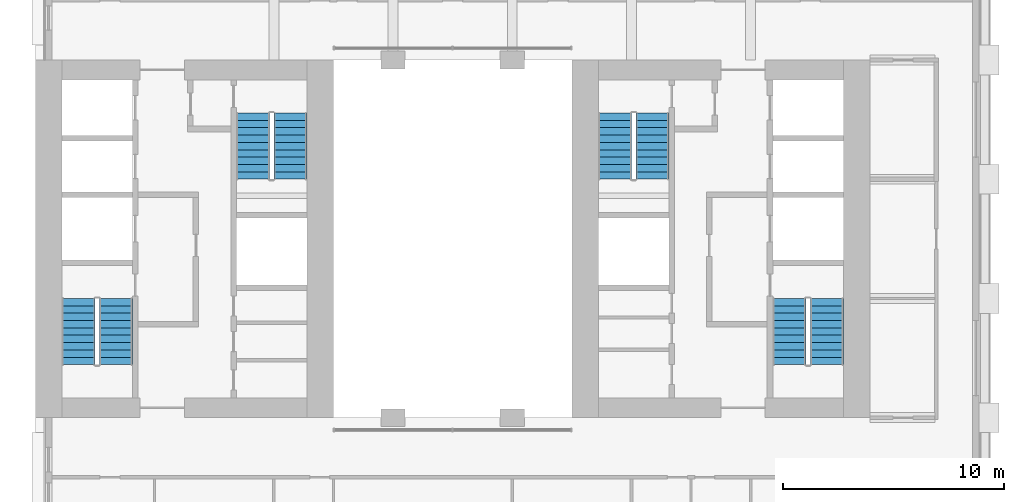
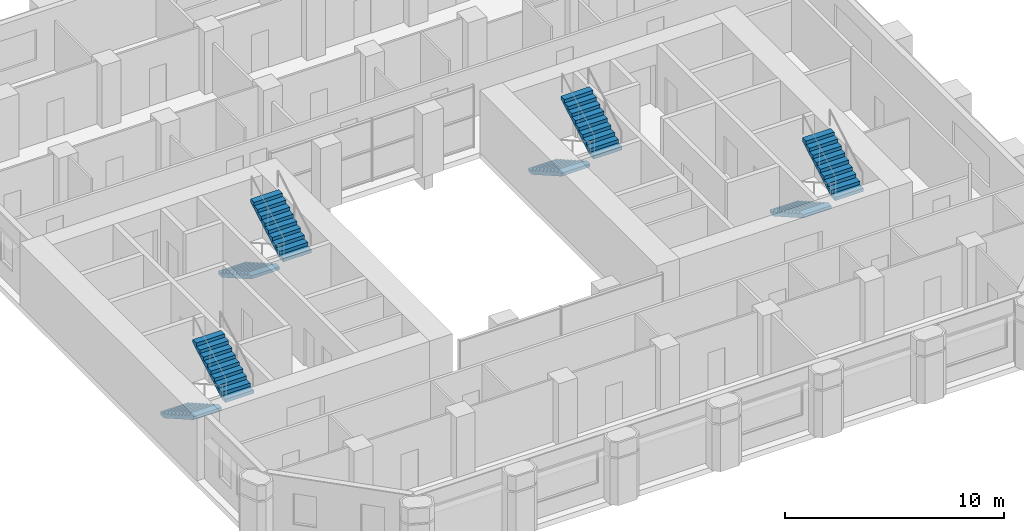
# One storey, part 8 of 11: 8 stair flights, 4 elements without a shape of their own.
"""IFC4 building model written with IfcOpenShell, lengths in metres."""

from ifc_helpers import new_model, si_unit, direction, frame, origin, place, context, subcontext, project, spatial, polyline, outline, extrude, material, type_object, element, aggregate, save


model = new_model("IFC4")

# Units and contexts
model_context = context("Model", 3, precision=1e-05, world=origin(), true_north=direction((0.0, 1.0)))
body_context = subcontext(model_context, "Body", "Model", "MODEL_VIEW")
ifc_project = project(units=[si_unit("LENGTHUNIT", "METRE"), si_unit("AREAUNIT", "SQUARE_METRE"), si_unit("VOLUMEUNIT", "CUBIC_METRE"), si_unit("PLANEANGLEUNIT", "RADIAN"), si_unit("MASSUNIT", "GRAM", prefix="KILO")], contexts=[model_context])

# Site, building, storey
site_placement = place(None, origin())
site = spatial("IfcSite", under=ifc_project, at=site_placement, CompositionType="ELEMENT")
building_placement = place(site_placement, origin())
building = spatial("IfcBuilding", under=site, at=building_placement, Name="Tabaq Tower and Sports Hall", CompositionType="ELEMENT")
storey_placement = place(building_placement, frame((0.0, 0.0, 84.0)))
storey = spatial("IfcBuildingStorey", under=building, at=storey_placement, Name="L19", CompositionType="ELEMENT", Elevation=84.0)

# Stair, stair flights
ifc_material_1 = material(Name="Concrete C40/50", Category="concrete")
stair_type = type_object("IfcStairType", Name="Exit stair", PredefinedType="HALF_TURN_STAIR", material=ifc_material_1)
stair_1_placement = place(storey_placement, origin())
stair_1 = element("IfcStair", 1, at=stair_1_placement, inside=storey, type_object=stair_type, Name="L19 Exit stair ST1", PredefinedType="HALF_TURN_STAIR")
ifc_material_2 = material(Name="Concrete C40/50", Category="concrete")
stair_flight_type = type_object("IfcStairFlightType", Name="Exit stair flight", PredefinedType="STRAIGHT", material=ifc_material_2)
stair_flight_1_placement = place(storey_placement, frame((7.35009765625, 21.60009765625, 0.0), z_axis=(0.0, 0.0, 1.0), x_axis=(0.0, -1.0, 0.0)))
stair_flight_1 = element("IfcStairFlight", 2, at=stair_flight_1_placement, type_object=stair_flight_type, Name="ST1 flight 1", NumberOfRisers=10, NumberOfTreads=9, PredefinedType="STRAIGHT", RiserHeight=0.19, TreadLength=0.333333333, context=body_context, shape_type="SweptSolid", body=[
    extrude(outline(polyline([(0.0, 0.0), (0.0, 0.18994140625), (0.333251953125, 0.18994140625), (0.333251953125, 0.3798828125), (0.666748046875, 0.3798828125), (0.666748046875, 0.570068359375), (1.0, 0.570068359375), (1.0, 0.760009765625), (1.333251953125, 0.760009765625), (1.333251953125, 0.949951171875), (1.666748046875, 0.949951171875), (1.666748046875, 1.139892578125), (2.0, 1.139892578125), (2.0, 1.330078125), (2.333251953125, 1.330078125), (2.333251953125, 1.52001953125), (2.666748046875, 1.52001953125), (2.666748046875, 1.7099609375), (3.0, 1.7099609375), (3.0, 1.89990234375), (3.0, 1.537353515625), (0.302734375, 0.0), (0.0, 0.0)])), frame((0.0, 0.75, 0.0), z_axis=(0.0, -1.0, 0.0), x_axis=(1.0, 0.0, 0.0)), (0.0, 0.0, 1.0), 1.5),
])
stair_flight_2_placement = place(storey_placement, frame((9.050048828125, 18.60009765625, 1.89990234375), z_axis=(0.0, 0.0, 1.0), x_axis=(0.0, 1.0, 0.0)))
stair_flight_2 = element("IfcStairFlight", 3, at=stair_flight_2_placement, type_object=stair_flight_type, Name="ST1 flight 2", NumberOfRisers=10, NumberOfTreads=9, PredefinedType="STRAIGHT", RiserHeight=0.19, TreadLength=0.333333333, context=body_context, shape_type="SweptSolid", body=[
    extrude(outline(polyline([(0.0, 0.0), (0.0, 0.18994140625), (0.333251953125, 0.18994140625), (0.333251953125, 0.3798828125), (0.666748046875, 0.3798828125), (0.666748046875, 0.570068359375), (1.0, 0.570068359375), (1.0, 0.760009765625), (1.333251953125, 0.760009765625), (1.333251953125, 0.949951171875), (1.666748046875, 0.949951171875), (1.666748046875, 1.139892578125), (2.0, 1.139892578125), (2.0, 1.330078125), (2.333251953125, 1.330078125), (2.333251953125, 1.52001953125), (2.666748046875, 1.52001953125), (2.666748046875, 1.7099609375), (3.0, 1.7099609375), (3.0, 1.89990234375), (3.0, 1.537353515625), (0.302734375, 0.0), (0.0, 0.0)])), frame((0.0, 0.75, 0.0), z_axis=(0.0, -1.0, 0.0), x_axis=(1.0, 0.0, 0.0)), (0.0, 0.0, 1.0), 1.5),
])
aggregate(stair_1, [stair_flight_1, stair_flight_2])

stair_2_placement = place(storey_placement, origin())
stair_2 = element("IfcStair", 4, at=stair_2_placement, inside=storey, type_object=stair_type, Name="L19 Exit stair ST2", PredefinedType="HALF_TURN_STAIR")
stair_flight_3_placement = place(storey_placement, frame((15.25, 30.0, 0.0), z_axis=(0.0, 0.0, 1.0), x_axis=(0.0, -1.0, 0.0)))
stair_flight_3 = element("IfcStairFlight", 5, at=stair_flight_3_placement, type_object=stair_flight_type, Name="ST2 flight 1", NumberOfRisers=10, NumberOfTreads=9, PredefinedType="STRAIGHT", RiserHeight=0.19, TreadLength=0.333333333, context=body_context, shape_type="SweptSolid", body=[
    extrude(outline(polyline([(0.0, 0.0), (0.0, 0.18994140625), (0.333251953125, 0.18994140625), (0.333251953125, 0.3798828125), (0.666748046875, 0.3798828125), (0.666748046875, 0.570068359375), (1.0, 0.570068359375), (1.0, 0.760009765625), (1.333251953125, 0.760009765625), (1.333251953125, 0.949951171875), (1.666748046875, 0.949951171875), (1.666748046875, 1.139892578125), (2.0, 1.139892578125), (2.0, 1.330078125), (2.333251953125, 1.330078125), (2.333251953125, 1.52001953125), (2.666748046875, 1.52001953125), (2.666748046875, 1.7099609375), (3.0, 1.7099609375), (3.0, 1.89990234375), (3.0, 1.537353515625), (0.302734375, 0.0), (0.0, 0.0)])), frame((0.0, 0.75, 0.0), z_axis=(0.0, -1.0, 0.0), x_axis=(1.0, 0.0, 0.0)), (0.0, 0.0, 1.0), 1.5),
])
stair_flight_4_placement = place(storey_placement, frame((16.949951171875, 27.0, 1.89990234375), z_axis=(0.0, 0.0, 1.0), x_axis=(0.0, 1.0, 0.0)))
stair_flight_4 = element("IfcStairFlight", 6, at=stair_flight_4_placement, type_object=stair_flight_type, Name="ST2 flight 2", NumberOfRisers=10, NumberOfTreads=9, PredefinedType="STRAIGHT", RiserHeight=0.19, TreadLength=0.333333333, context=body_context, shape_type="SweptSolid", body=[
    extrude(outline(polyline([(0.0, 0.0), (0.0, 0.18994140625), (0.333251953125, 0.18994140625), (0.333251953125, 0.3798828125), (0.666748046875, 0.3798828125), (0.666748046875, 0.570068359375), (1.0, 0.570068359375), (1.0, 0.760009765625), (1.333251953125, 0.760009765625), (1.333251953125, 0.949951171875), (1.666748046875, 0.949951171875), (1.666748046875, 1.139892578125), (2.0, 1.139892578125), (2.0, 1.330078125), (2.333251953125, 1.330078125), (2.333251953125, 1.52001953125), (2.666748046875, 1.52001953125), (2.666748046875, 1.7099609375), (3.0, 1.7099609375), (3.0, 1.89990234375), (3.0, 1.537353515625), (0.302734375, 0.0), (0.0, 0.0)])), frame((0.0, 0.75, 0.0), z_axis=(0.0, -1.0, 0.0), x_axis=(1.0, 0.0, 0.0)), (0.0, 0.0, 1.0), 1.5),
])
aggregate(stair_2, [stair_flight_3, stair_flight_4])

stair_3_placement = place(storey_placement, origin())
stair_3 = element("IfcStair", 7, at=stair_3_placement, inside=storey, type_object=stair_type, Name="L19 Exit stair ST3", PredefinedType="HALF_TURN_STAIR")
stair_flight_5_placement = place(storey_placement, frame((39.550048828125, 21.60009765625, 0.0), z_axis=(0.0, 0.0, 1.0), x_axis=(0.0, -1.0, 0.0)))
stair_flight_5 = element("IfcStairFlight", 8, at=stair_flight_5_placement, type_object=stair_flight_type, Name="ST3 flight 1", NumberOfRisers=10, NumberOfTreads=9, PredefinedType="STRAIGHT", RiserHeight=0.19, TreadLength=0.333333333, context=body_context, shape_type="SweptSolid", body=[
    extrude(outline(polyline([(0.0, 0.0), (0.0, 0.18994140625), (0.333251953125, 0.18994140625), (0.333251953125, 0.3798828125), (0.666748046875, 0.3798828125), (0.666748046875, 0.570068359375), (1.0, 0.570068359375), (1.0, 0.760009765625), (1.333251953125, 0.760009765625), (1.333251953125, 0.949951171875), (1.666748046875, 0.949951171875), (1.666748046875, 1.139892578125), (2.0, 1.139892578125), (2.0, 1.330078125), (2.333251953125, 1.330078125), (2.333251953125, 1.52001953125), (2.666748046875, 1.52001953125), (2.666748046875, 1.7099609375), (3.0, 1.7099609375), (3.0, 1.89990234375), (3.0, 1.537353515625), (0.302734375, 0.0), (0.0, 0.0)])), frame((0.0, 0.75, 0.0), z_axis=(0.0, -1.0, 0.0), x_axis=(1.0, 0.0, 0.0)), (0.0, 0.0, 1.0), 1.5),
])
stair_flight_6_placement = place(storey_placement, frame((41.25, 18.60009765625, 1.89990234375), z_axis=(0.0, 0.0, 1.0), x_axis=(0.0, 1.0, 0.0)))
stair_flight_6 = element("IfcStairFlight", 9, at=stair_flight_6_placement, type_object=stair_flight_type, Name="ST3 flight 2", NumberOfRisers=10, NumberOfTreads=9, PredefinedType="STRAIGHT", RiserHeight=0.19, TreadLength=0.333333333, context=body_context, shape_type="SweptSolid", body=[
    extrude(outline(polyline([(0.0, 0.0), (0.0, 0.18994140625), (0.333251953125, 0.18994140625), (0.333251953125, 0.3798828125), (0.666748046875, 0.3798828125), (0.666748046875, 0.570068359375), (1.0, 0.570068359375), (1.0, 0.760009765625), (1.333251953125, 0.760009765625), (1.333251953125, 0.949951171875), (1.666748046875, 0.949951171875), (1.666748046875, 1.139892578125), (2.0, 1.139892578125), (2.0, 1.330078125), (2.333251953125, 1.330078125), (2.333251953125, 1.52001953125), (2.666748046875, 1.52001953125), (2.666748046875, 1.7099609375), (3.0, 1.7099609375), (3.0, 1.89990234375), (3.0, 1.537353515625), (0.302734375, 0.0), (0.0, 0.0)])), frame((0.0, 0.75, 0.0), z_axis=(0.0, -1.0, 0.0), x_axis=(1.0, 0.0, 0.0)), (0.0, 0.0, 1.0), 1.5),
])
aggregate(stair_3, [stair_flight_5, stair_flight_6])

stair_4_placement = place(storey_placement, origin())
stair_4 = element("IfcStair", 10, at=stair_4_placement, inside=storey, type_object=stair_type, Name="L19 Exit stair ST4", PredefinedType="HALF_TURN_STAIR")
stair_flight_7_placement = place(storey_placement, frame((31.64990234375, 30.0, 0.0), z_axis=(0.0, 0.0, 1.0), x_axis=(0.0, -1.0, 0.0)))
stair_flight_7 = element("IfcStairFlight", 11, at=stair_flight_7_placement, type_object=stair_flight_type, Name="ST4 flight 1", NumberOfRisers=10, NumberOfTreads=9, PredefinedType="STRAIGHT", RiserHeight=0.19, TreadLength=0.333333333, context=body_context, shape_type="SweptSolid", body=[
    extrude(outline(polyline([(0.0, 0.0), (0.0, 0.18994140625), (0.333251953125, 0.18994140625), (0.333251953125, 0.3798828125), (0.666748046875, 0.3798828125), (0.666748046875, 0.570068359375), (1.0, 0.570068359375), (1.0, 0.760009765625), (1.333251953125, 0.760009765625), (1.333251953125, 0.949951171875), (1.666748046875, 0.949951171875), (1.666748046875, 1.139892578125), (2.0, 1.139892578125), (2.0, 1.330078125), (2.333251953125, 1.330078125), (2.333251953125, 1.52001953125), (2.666748046875, 1.52001953125), (2.666748046875, 1.7099609375), (3.0, 1.7099609375), (3.0, 1.89990234375), (3.0, 1.537353515625), (0.302734375, 0.0), (0.0, 0.0)])), frame((0.0, 0.75, 0.0), z_axis=(0.0, -1.0, 0.0), x_axis=(1.0, 0.0, 0.0)), (0.0, 0.0, 1.0), 1.5),
])
stair_flight_8_placement = place(storey_placement, frame((33.35009765625, 27.0, 1.89990234375), z_axis=(0.0, 0.0, 1.0), x_axis=(0.0, 1.0, 0.0)))
stair_flight_8 = element("IfcStairFlight", 12, at=stair_flight_8_placement, type_object=stair_flight_type, Name="ST4 flight 2", NumberOfRisers=10, NumberOfTreads=9, PredefinedType="STRAIGHT", RiserHeight=0.19, TreadLength=0.333333333, context=body_context, shape_type="SweptSolid", body=[
    extrude(outline(polyline([(0.0, 0.0), (0.0, 0.18994140625), (0.333251953125, 0.18994140625), (0.333251953125, 0.3798828125), (0.666748046875, 0.3798828125), (0.666748046875, 0.570068359375), (1.0, 0.570068359375), (1.0, 0.760009765625), (1.333251953125, 0.760009765625), (1.333251953125, 0.949951171875), (1.666748046875, 0.949951171875), (1.666748046875, 1.139892578125), (2.0, 1.139892578125), (2.0, 1.330078125), (2.333251953125, 1.330078125), (2.333251953125, 1.52001953125), (2.666748046875, 1.52001953125), (2.666748046875, 1.7099609375), (3.0, 1.7099609375), (3.0, 1.89990234375), (3.0, 1.537353515625), (0.302734375, 0.0), (0.0, 0.0)])), frame((0.0, 0.75, 0.0), z_axis=(0.0, -1.0, 0.0), x_axis=(1.0, 0.0, 0.0)), (0.0, 0.0, 1.0), 1.5),
])
aggregate(stair_4, [stair_flight_7, stair_flight_8])

save(model, "model.ifc")
